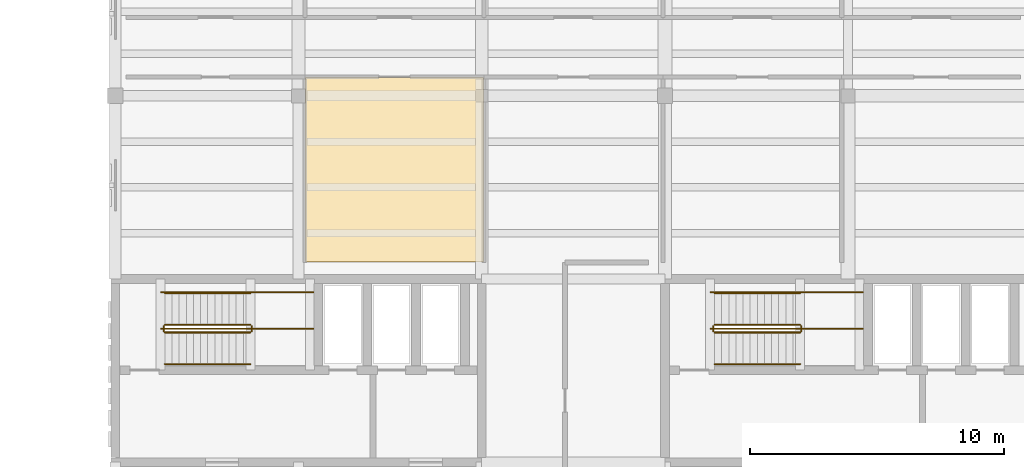
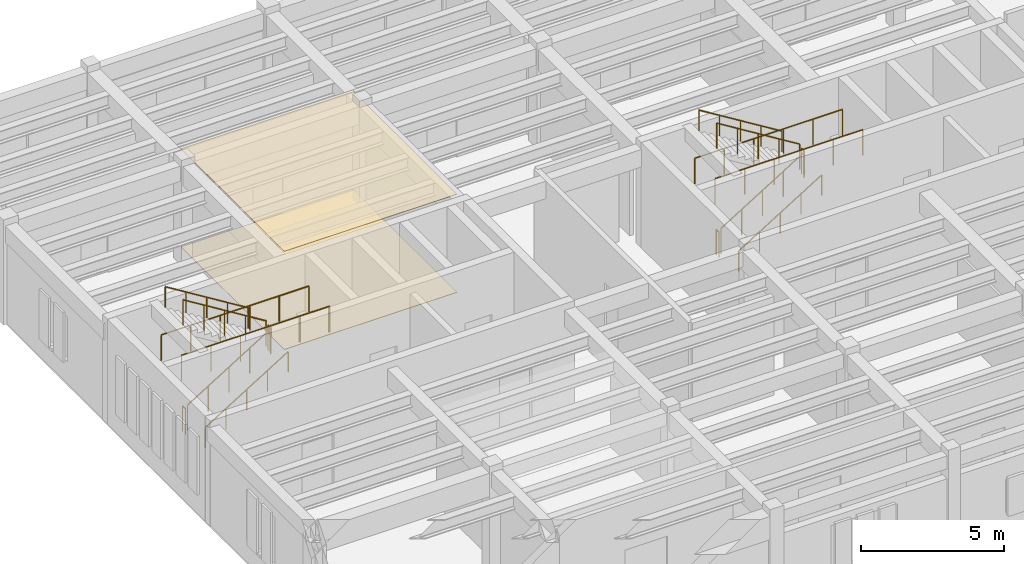
# One storey, part 17 of 18: 16 railings, 2 coverings.
"""IFC4 building model written with IfcOpenShell, lengths in metres."""

from ifc_helpers import new_model, si_unit, direction, frame, origin, origin_2d, place, context, subcontext, project, spatial, polyline, circle, outline, extrude, material, layer, layer_set, type_object, element, save


model = new_model("IFC4")

# Units and contexts
model_context = context("Model", 3, precision=1e-05, world=origin(), true_north=direction((0.0, 1.0)))
body_context = subcontext(model_context, "Body", "Model", "MODEL_VIEW")
ifc_project = project(units=[si_unit("LENGTHUNIT", "METRE"), si_unit("AREAUNIT", "SQUARE_METRE"), si_unit("VOLUMEUNIT", "CUBIC_METRE"), si_unit("PLANEANGLEUNIT", "RADIAN"), si_unit("MASSUNIT", "GRAM", prefix="KILO")], contexts=[model_context])

# Site, building, storey
site_placement = place(None, origin())
site = spatial("IfcSite", under=ifc_project, at=site_placement, CompositionType="ELEMENT")
building_placement = place(site_placement, origin())
building = spatial("IfcBuilding", under=site, at=building_placement, Name="Mithqara Police Headquarters", CompositionType="ELEMENT")
storey_placement = place(building_placement, frame((0.0, 0.0, 26.39990234375)))
storey = spatial("IfcBuildingStorey", under=building, at=storey_placement, Name="L06", CompositionType="ELEMENT", Elevation=26.39990234375)

# Covering
ifc_material_1 = material(Name="Acoustic mineral-fibre ceiling tile", Category="gypsum")
ifc_layer_1 = layer(ifc_material_1, 0.02490234375, Name="Acoustic mineral-fibre ceiling tile")
ifc_layer_set_1 = layer_set([ifc_layer_1], Name="Acoustic mineral-fibre ceiling tile")
covering_type_1 = type_object("IfcCoveringType", Name="ACOUSTIC CEILING TILE", PredefinedType="CEILING", material=ifc_layer_set_1)
covering_1_placement = place(storey_placement, frame((0.0, 0.0, 4.195068359375)))
element("IfcCovering", 1, at=covering_1_placement, inside=storey, type_object=covering_type_1, Name="Radio Cryptography Server Room Acoustic Ceiling", PredefinedType="CEILING", context=body_context, shape_type="SweptSolid", body=[
    extrude(outline(polyline([(116.072021484375, 100.8701171875), (123.06396484375, 100.8701171875), (123.06396484375, 108.1201171875), (116.072021484375, 108.1201171875), (116.072021484375, 100.8701171875)])), origin(), (0.0, 0.0, 1.0), 0.025146484375),
])

# Railings
ifc_material_2 = material(Name="Steel S355JR", Category="steel")
railing_type_1 = type_object("IfcRailingType", Name="HANDRAIL 920", PredefinedType="HANDRAIL", material=ifc_material_2)
railing_1_placement = place(storey_placement, frame((110.550048828125, 96.85009765625, 0.173095703125)))
element("IfcRailing", 2, at=railing_1_placement, inside=storey, type_object=railing_type_1, Name="L06 ST-01 stair handrail 1", PredefinedType="HANDRAIL", context=body_context, shape_type="SweptSolid", body=[
    extrude(circle(Radius=0.02392578125, at=origin_2d()), frame((0.0, 0.0, 0.8759765625), z_axis=(0.850606129759, 0.0, 0.525803396734), x_axis=(0.0, 1.0, 0.0)), (0.0, 0.0, 1.0), 3.949951171875),
    extrude(circle(Radius=0.02099609375, at=origin_2d()), origin(), (0.0, 0.0, 1.0), 0.851806640625),
    extrude(circle(Radius=0.02099609375, at=origin_2d()), frame((0.83984375, 0.0, 0.519287109375)), (0.0, 0.0, 1.0), 0.851806640625),
    extrude(circle(Radius=0.02099609375, at=origin_2d()), frame((1.679931640625, 0.0, 1.03857421875)), (0.0, 0.0, 1.0), 0.851806640625),
    extrude(circle(Radius=0.02099609375, at=origin_2d()), frame((2.52001953125, 0.0, 1.5576171875)), (0.0, 0.0, 1.0), 0.851806640625),
    extrude(circle(Radius=0.02099609375, at=origin_2d()), frame((3.35986328125, 0.0, 2.076904296875)), (0.0, 0.0, 1.0), 0.851806640625),
])
railing_2_placement = place(storey_placement, frame((113.909912109375, 99.64990234375, 2.423095703125)))
element("IfcRailing", 3, at=railing_2_placement, inside=storey, type_object=railing_type_1, Name="L06 ST-01 stair handrail 2", PredefinedType="HANDRAIL", context=body_context, shape_type="SweptSolid", body=[
    extrude(circle(Radius=0.02392578125, at=origin_2d()), frame((0.0, 0.0, 0.8759765625), z_axis=(-0.850606129759, 0.0, 0.525803396734), x_axis=(0.0, -1.0, 0.0)), (0.0, 0.0, 1.0), 3.949951171875),
    extrude(circle(Radius=0.02099609375, at=origin_2d()), origin(), (0.0, 0.0, 1.0), 0.851806640625),
    extrude(circle(Radius=0.02099609375, at=origin_2d()), frame((-0.83984375, 0.0, 0.519287109375)), (0.0, 0.0, 1.0), 0.851806640625),
    extrude(circle(Radius=0.02099609375, at=origin_2d()), frame((-1.679931640625, 0.0, 1.03857421875)), (0.0, 0.0, 1.0), 0.851806640625),
    extrude(circle(Radius=0.02099609375, at=origin_2d()), frame((-2.52001953125, 0.0, 1.5576171875)), (0.0, 0.0, 1.0), 0.851806640625),
    extrude(circle(Radius=0.02099609375, at=origin_2d()), frame((-3.35986328125, 0.0, 2.076904296875)), (0.0, 0.0, 1.0), 0.851806640625),
])
railing_3_placement = place(storey_placement, frame((132.14990234375, 96.85009765625, 0.173095703125)))
element("IfcRailing", 4, at=railing_3_placement, inside=storey, type_object=railing_type_1, Name="L06 ST-02 stair handrail 1", PredefinedType="HANDRAIL", context=body_context, shape_type="SweptSolid", body=[
    extrude(circle(Radius=0.02392578125, at=origin_2d()), frame((0.0, 0.0, 0.8759765625), z_axis=(0.850623216509, 0.0, 0.525775754039), x_axis=(0.0, 1.0, 0.0)), (0.0, 0.0, 1.0), 3.9501953125),
    extrude(circle(Radius=0.02099609375, at=origin_2d()), origin(), (0.0, 0.0, 1.0), 0.851806640625),
    extrude(circle(Radius=0.02099609375, at=origin_2d()), frame((0.840087890625, 0.0, 0.519287109375)), (0.0, 0.0, 1.0), 0.851806640625),
    extrude(circle(Radius=0.02099609375, at=origin_2d()), frame((1.68017578125, 0.0, 1.03857421875)), (0.0, 0.0, 1.0), 0.851806640625),
    extrude(circle(Radius=0.02099609375, at=origin_2d()), frame((2.52001953125, 0.0, 1.5576171875)), (0.0, 0.0, 1.0), 0.851806640625),
    extrude(circle(Radius=0.02099609375, at=origin_2d()), frame((3.360107421875, 0.0, 2.076904296875)), (0.0, 0.0, 1.0), 0.851806640625),
])
railing_4_placement = place(storey_placement, frame((135.510009765625, 99.64990234375, 2.423095703125)))
element("IfcRailing", 5, at=railing_4_placement, inside=storey, type_object=railing_type_1, Name="L06 ST-02 stair handrail 2", PredefinedType="HANDRAIL", context=body_context, shape_type="SweptSolid", body=[
    extrude(circle(Radius=0.02392578125, at=origin_2d()), frame((0.0, 0.0, 0.8759765625), z_axis=(-0.850623216509, 0.0, 0.525775754039), x_axis=(0.0, -1.0, 0.0)), (0.0, 0.0, 1.0), 3.9501953125),
    extrude(circle(Radius=0.02099609375, at=origin_2d()), origin(), (0.0, 0.0, 1.0), 0.851806640625),
    extrude(circle(Radius=0.02099609375, at=origin_2d()), frame((-0.840087890625, 0.0, 0.519287109375)), (0.0, 0.0, 1.0), 0.851806640625),
    extrude(circle(Radius=0.02099609375, at=origin_2d()), frame((-1.68017578125, 0.0, 1.03857421875)), (0.0, 0.0, 1.0), 0.851806640625),
    extrude(circle(Radius=0.02099609375, at=origin_2d()), frame((-2.52001953125, 0.0, 1.5576171875)), (0.0, 0.0, 1.0), 0.851806640625),
    extrude(circle(Radius=0.02099609375, at=origin_2d()), frame((-3.360107421875, 0.0, 2.076904296875)), (0.0, 0.0, 1.0), 0.851806640625),
])
railing_type_2 = type_object("IfcRailingType", Name="STAIR GUARD 1120", PredefinedType="GUARDRAIL", material=ifc_material_2)
railing_5_placement = place(storey_placement, frame((110.550048828125, 98.10009765625, 0.173095703125)))
element("IfcRailing", 6, at=railing_5_placement, inside=storey, type_object=railing_type_2, Name="L06 ST-01 stair guard 1", PredefinedType="GUARDRAIL", context=body_context, shape_type="SweptSolid", body=[
    extrude(circle(Radius=0.02392578125, at=origin_2d()), frame((0.0, 0.0, 1.076171875), z_axis=(0.850606129759, 0.0, 0.525803396734), x_axis=(0.0, 1.0, 0.0)), (0.0, 0.0, 1.0), 3.949951171875),
    extrude(circle(Radius=0.02099609375, at=origin_2d()), origin(), (0.0, 0.0, 1.0), 1.052001953125),
    extrude(circle(Radius=0.02099609375, at=origin_2d()), frame((0.83984375, 0.0, 0.519287109375)), (0.0, 0.0, 1.0), 1.052001953125),
    extrude(circle(Radius=0.02099609375, at=origin_2d()), frame((1.679931640625, 0.0, 1.03857421875)), (0.0, 0.0, 1.0), 1.052001953125),
    extrude(circle(Radius=0.02099609375, at=origin_2d()), frame((2.52001953125, 0.0, 1.5576171875)), (0.0, 0.0, 1.0), 1.052001953125),
    extrude(circle(Radius=0.02099609375, at=origin_2d()), frame((3.35986328125, 0.0, 2.076904296875)), (0.0, 0.0, 1.0), 1.052001953125),
])
railing_6_placement = place(storey_placement, frame((113.9599609375, 98.14990234375, 2.25)))
element("IfcRailing", 7, at=railing_6_placement, inside=storey, type_object=railing_type_2, Name="L06 ST-01 stair guard 2", PredefinedType="GUARDRAIL", context=body_context, shape_type="SweptSolid", body=[
    extrude(circle(Radius=0.02392578125, at=origin_2d()), frame((0.0, 0.0, 1.076171875), z_axis=(0.0, 1.0, 0.0), x_axis=(-1.0, 0.0, 0.0)), (0.0, 0.0, 1.0), 0.2001953125),
    extrude(circle(Radius=0.02099609375, at=origin_2d()), origin(), (0.0, 0.0, 1.0), 1.052001953125),
    extrude(circle(Radius=0.02099609375, at=origin_2d()), frame((0.0, 0.2001953125, 0.0)), (0.0, 0.0, 1.0), 1.052001953125),
])
railing_7_placement = place(storey_placement, frame((113.909912109375, 98.39990234375, 2.423095703125)))
element("IfcRailing", 8, at=railing_7_placement, inside=storey, type_object=railing_type_2, Name="L06 ST-01 stair guard 3", PredefinedType="GUARDRAIL", context=body_context, shape_type="SweptSolid", body=[
    extrude(circle(Radius=0.02392578125, at=origin_2d()), frame((0.0, 0.0, 1.076171875), z_axis=(-0.850606129759, 0.0, 0.525803396734), x_axis=(0.0, -1.0, 0.0)), (0.0, 0.0, 1.0), 3.949951171875),
    extrude(circle(Radius=0.02099609375, at=origin_2d()), origin(), (0.0, 0.0, 1.0), 1.052001953125),
    extrude(circle(Radius=0.02099609375, at=origin_2d()), frame((-0.83984375, 0.0, 0.519287109375)), (0.0, 0.0, 1.0), 1.052001953125),
    extrude(circle(Radius=0.02099609375, at=origin_2d()), frame((-1.679931640625, 0.0, 1.03857421875)), (0.0, 0.0, 1.0), 1.052001953125),
    extrude(circle(Radius=0.02099609375, at=origin_2d()), frame((-2.52001953125, 0.0, 1.5576171875)), (0.0, 0.0, 1.0), 1.052001953125),
    extrude(circle(Radius=0.02099609375, at=origin_2d()), frame((-3.35986328125, 0.0, 2.076904296875)), (0.0, 0.0, 1.0), 1.052001953125),
])
railing_8_placement = place(storey_placement, frame((110.5, 98.14990234375, 0.0)))
element("IfcRailing", 9, at=railing_8_placement, inside=storey, type_object=railing_type_2, Name="L06 ST-01 stair guard 4", PredefinedType="GUARDRAIL", context=body_context, shape_type="SweptSolid", body=[
    extrude(circle(Radius=0.02392578125, at=origin_2d()), frame((0.0, 0.0, 1.076171875), z_axis=(0.0, 1.0, 0.0), x_axis=(-1.0, 0.0, 0.0)), (0.0, 0.0, 1.0), 0.2001953125),
    extrude(circle(Radius=0.02099609375, at=origin_2d()), origin(), (0.0, 0.0, 1.0), 1.052001953125),
    extrude(circle(Radius=0.02099609375, at=origin_2d()), frame((0.0, 0.2001953125, 0.0)), (0.0, 0.0, 1.0), 1.052001953125),
])
for number, where, name in (
    (10, (110.39990234375, 98.25, 2.25), "L06 ST-01 Half-Landing Guard IN"),
    (11, (110.39990234375, 99.679931640625, 2.25), "L06 ST-01 Half-Landing Guard OUT"),
):
    element("IfcRailing", number, at=place(storey_placement, frame(where)), inside=storey, type_object=railing_type_2, Name=name, PredefinedType="GUARDRAIL", context=body_context, shape_type="SweptSolid", body=[
        extrude(circle(Radius=0.02392578125, at=origin_2d()), frame((0.0, 0.0, 1.09619140625), z_axis=(1.0, 0.0, 0.0), x_axis=(0.0, 1.0, 0.0)), (0.0, 0.0, 1.0), 5.97998046875),
        extrude(circle(Radius=0.02099609375, at=origin_2d()), origin(), (0.0, 0.0, 1.0), 1.072021484375),
        extrude(circle(Radius=0.02099609375, at=origin_2d()), frame((1.196044921875, 0.0, 0.0)), (0.0, 0.0, 1.0), 1.072021484375),
        extrude(circle(Radius=0.02099609375, at=origin_2d()), frame((2.39208984375, 0.0, 0.0)), (0.0, 0.0, 1.0), 1.072021484375),
        extrude(circle(Radius=0.02099609375, at=origin_2d()), frame((3.587890625, 0.0, 0.0)), (0.0, 0.0, 1.0), 1.072021484375),
        extrude(circle(Radius=0.02099609375, at=origin_2d()), frame((4.783935546875, 0.0, 0.0)), (0.0, 0.0, 1.0), 1.072021484375),
        extrude(circle(Radius=0.02099609375, at=origin_2d()), frame((5.97998046875, 0.0, 0.0)), (0.0, 0.0, 1.0), 1.072021484375),
    ])
railing_9_placement = place(storey_placement, frame((132.14990234375, 98.10009765625, 0.173095703125)))
element("IfcRailing", 12, at=railing_9_placement, inside=storey, type_object=railing_type_2, Name="L06 ST-02 stair guard 1", PredefinedType="GUARDRAIL", context=body_context, shape_type="SweptSolid", body=[
    extrude(circle(Radius=0.02392578125, at=origin_2d()), frame((0.0, 0.0, 1.076171875), z_axis=(0.850623216509, 0.0, 0.525775754039), x_axis=(0.0, 1.0, 0.0)), (0.0, 0.0, 1.0), 3.9501953125),
    extrude(circle(Radius=0.02099609375, at=origin_2d()), origin(), (0.0, 0.0, 1.0), 1.052001953125),
    extrude(circle(Radius=0.02099609375, at=origin_2d()), frame((0.840087890625, 0.0, 0.519287109375)), (0.0, 0.0, 1.0), 1.052001953125),
    extrude(circle(Radius=0.02099609375, at=origin_2d()), frame((1.68017578125, 0.0, 1.03857421875)), (0.0, 0.0, 1.0), 1.052001953125),
    extrude(circle(Radius=0.02099609375, at=origin_2d()), frame((2.52001953125, 0.0, 1.5576171875)), (0.0, 0.0, 1.0), 1.052001953125),
    extrude(circle(Radius=0.02099609375, at=origin_2d()), frame((3.360107421875, 0.0, 2.076904296875)), (0.0, 0.0, 1.0), 1.052001953125),
])
railing_10_placement = place(storey_placement, frame((135.56005859375, 98.14990234375, 2.25)))
element("IfcRailing", 13, at=railing_10_placement, inside=storey, type_object=railing_type_2, Name="L06 ST-02 stair guard 2", PredefinedType="GUARDRAIL", context=body_context, shape_type="SweptSolid", body=[
    extrude(circle(Radius=0.02392578125, at=origin_2d()), frame((0.0, 0.0, 1.076171875), z_axis=(0.0, 1.0, 0.0), x_axis=(-1.0, 0.0, 0.0)), (0.0, 0.0, 1.0), 0.2001953125),
    extrude(circle(Radius=0.02099609375, at=origin_2d()), origin(), (0.0, 0.0, 1.0), 1.052001953125),
    extrude(circle(Radius=0.02099609375, at=origin_2d()), frame((0.0, 0.2001953125, 0.0)), (0.0, 0.0, 1.0), 1.052001953125),
])
railing_11_placement = place(storey_placement, frame((135.510009765625, 98.39990234375, 2.423095703125)))
element("IfcRailing", 14, at=railing_11_placement, inside=storey, type_object=railing_type_2, Name="L06 ST-02 stair guard 3", PredefinedType="GUARDRAIL", context=body_context, shape_type="SweptSolid", body=[
    extrude(circle(Radius=0.02392578125, at=origin_2d()), frame((0.0, 0.0, 1.076171875), z_axis=(-0.850623216509, 0.0, 0.525775754039), x_axis=(0.0, -1.0, 0.0)), (0.0, 0.0, 1.0), 3.9501953125),
    extrude(circle(Radius=0.02099609375, at=origin_2d()), origin(), (0.0, 0.0, 1.0), 1.052001953125),
    extrude(circle(Radius=0.02099609375, at=origin_2d()), frame((-0.840087890625, 0.0, 0.519287109375)), (0.0, 0.0, 1.0), 1.052001953125),
    extrude(circle(Radius=0.02099609375, at=origin_2d()), frame((-1.68017578125, 0.0, 1.03857421875)), (0.0, 0.0, 1.0), 1.052001953125),
    extrude(circle(Radius=0.02099609375, at=origin_2d()), frame((-2.52001953125, 0.0, 1.5576171875)), (0.0, 0.0, 1.0), 1.052001953125),
    extrude(circle(Radius=0.02099609375, at=origin_2d()), frame((-3.360107421875, 0.0, 2.076904296875)), (0.0, 0.0, 1.0), 1.052001953125),
])
railing_12_placement = place(storey_placement, frame((132.10009765625, 98.14990234375, 0.0)))
element("IfcRailing", 15, at=railing_12_placement, inside=storey, type_object=railing_type_2, Name="L06 ST-02 stair guard 4", PredefinedType="GUARDRAIL", context=body_context, shape_type="SweptSolid", body=[
    extrude(circle(Radius=0.02392578125, at=origin_2d()), frame((0.0, 0.0, 1.076171875), z_axis=(0.0, 1.0, 0.0), x_axis=(-1.0, 0.0, 0.0)), (0.0, 0.0, 1.0), 0.2001953125),
    extrude(circle(Radius=0.02099609375, at=origin_2d()), origin(), (0.0, 0.0, 1.0), 1.052001953125),
    extrude(circle(Radius=0.02099609375, at=origin_2d()), frame((0.0, 0.2001953125, 0.0)), (0.0, 0.0, 1.0), 1.052001953125),
])
for number, where, name in (
    (16, (132.0, 98.25, 2.25), "L06 ST-02 Half-Landing Guard IN"),
    (17, (132.0, 99.679931640625, 2.25), "L06 ST-02 Half-Landing Guard OUT"),
):
    element("IfcRailing", number, at=place(storey_placement, frame(where)), inside=storey, type_object=railing_type_2, Name=name, PredefinedType="GUARDRAIL", context=body_context, shape_type="SweptSolid", body=[
        extrude(circle(Radius=0.02392578125, at=origin_2d()), frame((0.0, 0.0, 1.09619140625), z_axis=(1.0, 0.0, 0.0), x_axis=(0.0, 1.0, 0.0)), (0.0, 0.0, 1.0), 5.97998046875),
        extrude(circle(Radius=0.02099609375, at=origin_2d()), origin(), (0.0, 0.0, 1.0), 1.072021484375),
        extrude(circle(Radius=0.02099609375, at=origin_2d()), frame((1.196044921875, 0.0, 0.0)), (0.0, 0.0, 1.0), 1.072021484375),
        extrude(circle(Radius=0.02099609375, at=origin_2d()), frame((2.39208984375, 0.0, 0.0)), (0.0, 0.0, 1.0), 1.072021484375),
        extrude(circle(Radius=0.02099609375, at=origin_2d()), frame((3.587890625, 0.0, 0.0)), (0.0, 0.0, 1.0), 1.072021484375),
        extrude(circle(Radius=0.02099609375, at=origin_2d()), frame((4.783935546875, 0.0, 0.0)), (0.0, 0.0, 1.0), 1.072021484375),
        extrude(circle(Radius=0.02099609375, at=origin_2d()), frame((5.97998046875, 0.0, 0.0)), (0.0, 0.0, 1.0), 1.072021484375),
    ])

# Covering
ifc_material_3 = material(Name="Polished limestone terrazzo flooring", Category="masonry")
ifc_layer_2 = layer(ifc_material_3, 0.02001953125, Name="Polished limestone terrazzo flooring")
ifc_layer_set_2 = layer_set([ifc_layer_2], Name="Polished limestone terrazzo flooring")
covering_type_2 = type_object("IfcCoveringType", Name="TERRAZZO FLOOR FINISH", PredefinedType="FLOORING", material=ifc_layer_set_2)
covering_2_placement = place(storey_placement, origin())
element("IfcCovering", 18, at=covering_2_placement, inside=storey, type_object=covering_type_2, Name="Radio Cryptography Server Room Terrazzo Floor Finish", PredefinedType="FLOORING", context=body_context, shape_type="SweptSolid", body=[
    extrude(outline(polyline([(116.072021484375, 100.8701171875), (123.06396484375, 100.8701171875), (123.06396484375, 108.1201171875), (116.072021484375, 108.1201171875), (116.072021484375, 100.8701171875)])), origin(), (0.0, 0.0, 1.0), 0.02001953125),
])

save(model, "model.ifc")
